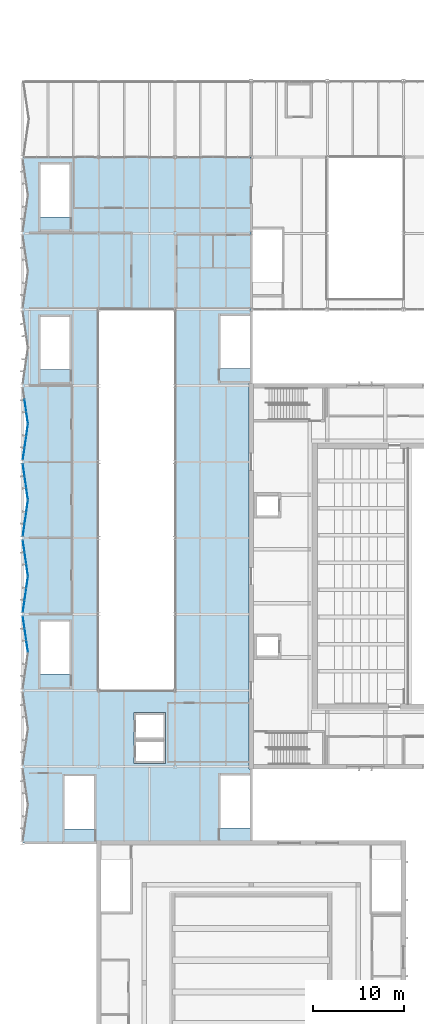
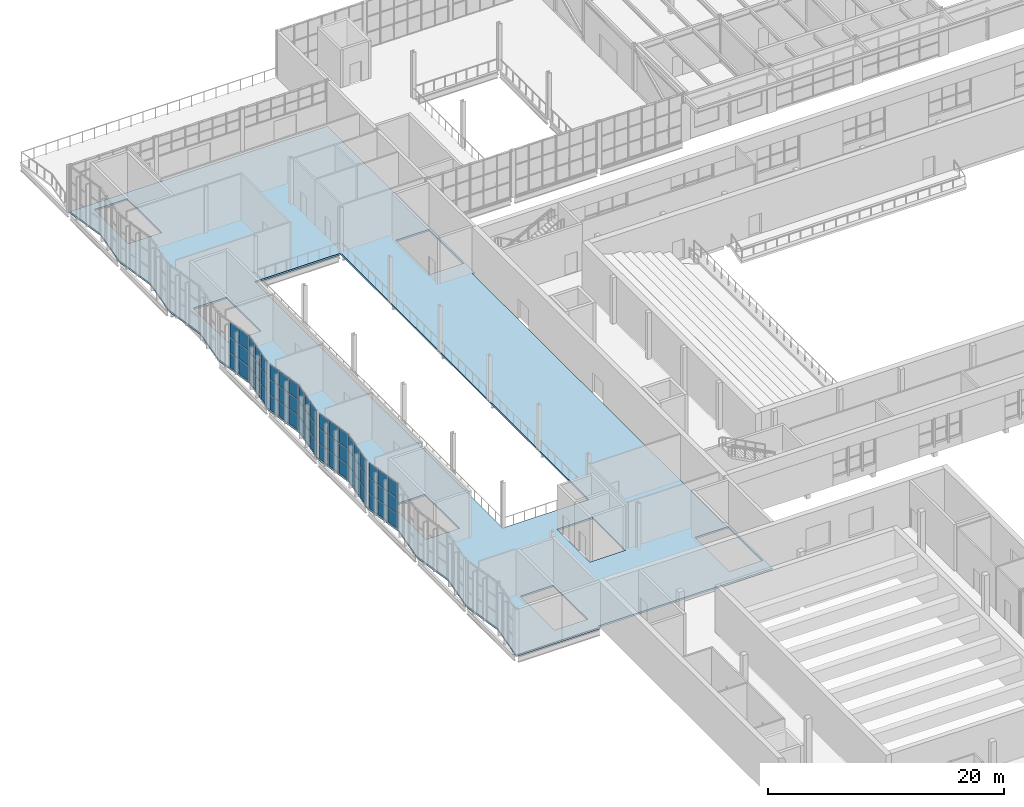
# One storey, part 59 of 116: 60 plates, 1 slab, 7 elements without a shape of their own.
"""IFC4 building model written with IfcOpenShell, lengths in metres."""

from ifc_helpers import new_model, si_unit, direction, frame, origin, origin_2d, place, context, subcontext, project, spatial, polyline, rectangle, outline, extrude, material, layer, layer_set, type_object, element, aggregate, save


model = new_model("IFC4")

# Units and contexts
model_context = context("Model", 3, precision=1e-05, world=origin(), true_north=direction((0.0, 1.0)))
body_context = subcontext(model_context, "Body", "Model", "MODEL_VIEW")
ifc_project = project(units=[si_unit("LENGTHUNIT", "METRE"), si_unit("AREAUNIT", "SQUARE_METRE"), si_unit("VOLUMEUNIT", "CUBIC_METRE"), si_unit("PLANEANGLEUNIT", "RADIAN"), si_unit("MASSUNIT", "GRAM", prefix="KILO")], contexts=[model_context])

# Site, building, storey
site_placement = place(None, origin())
site = spatial("IfcSite", under=ifc_project, at=site_placement, CompositionType="ELEMENT")
building_placement = place(site_placement, origin())
building = spatial("IfcBuilding", under=site, at=building_placement, Name="Ljudholm Concert House", CompositionType="ELEMENT")
storey_placement = place(building_placement, frame((0.0, 0.0, 10.199951171875)))
storey = spatial("IfcBuildingStorey", under=building, at=storey_placement, Name="L02", CompositionType="ELEMENT", Elevation=10.199951171875)

# Slab
ifc_material_1 = material(Name="Concrete 5,000 psi", Category="concrete")
ifc_layer_1 = layer(ifc_material_1, 0.179931640625)
ifc_layer_set_1 = layer_set([ifc_layer_1], Name="Concrete 5,000 psi")
slab_type = type_object("IfcSlabType", Name="COMPOSITE FLOOR SLAB 180", PredefinedType="FLOOR", material=ifc_layer_set_1)
slab_placement = place(storey_placement, frame((0.0, 0.0, -0.179931640625)))
element("IfcSlab", 1, at=slab_placement, inside=storey, type_object=slab_type, Name="Floor slab", PredefinedType="FLOOR", context=body_context, shape_type="SweptSolid", body=[
    extrude(outline(polyline([(4.0, 54.39990234375), (4.60009765625, 50.199951171875), (4.0, 46.0), (12.175048828125, 46.0), (12.175048828125, 46.22509765625), (29.199951171875, 46.22509765625), (29.199951171875, 54.14990234375), (28.949951171875, 54.14990234375), (28.949951171875, 96.64990234375), (29.199951171875, 96.64990234375), (29.199951171875, 121.60009765625), (4.0, 121.60009765625), (4.60009765625, 117.39990234375), (4.0, 113.199951171875), (4.60009765625, 109.0), (4.0, 104.800048828125), (4.60009765625, 100.60009765625), (4.0, 96.39990234375), (4.60009765625, 92.199951171875), (4.0, 88.0), (4.60009765625, 83.800048828125), (4.0, 79.60009765625), (4.60009765625, 75.39990234375), (4.0, 71.199951171875), (4.60009765625, 67.0), (4.0, 62.800048828125), (4.60009765625, 58.60009765625), (4.0, 54.39990234375)]), holes=[polyline([(11.89990234375, 53.35009765625), (11.89990234375, 47.550537109375), (8.64990234375, 47.550537109375), (8.64990234375, 53.35009765625), (11.89990234375, 53.35009765625)]), polyline([(29.050048828125, 53.449951171875), (29.050048828125, 47.650390625), (25.800048828125, 47.650390625), (25.800048828125, 53.449951171875), (29.050048828125, 53.449951171875)]), polyline([(19.77490234375, 54.75), (16.27490234375, 54.75), (16.27490234375, 60.35009765625), (19.77490234375, 60.35009765625), (19.77490234375, 54.75)]), polyline([(9.199951171875, 70.39990234375), (9.199951171875, 64.6005859375), (5.949951171875, 64.6005859375), (5.949951171875, 70.39990234375), (9.199951171875, 70.39990234375)]), polyline([(20.800048828125, 104.800048828125), (20.800048828125, 62.800048828125), (12.39990234375, 62.800048828125), (12.39990234375, 104.800048828125), (20.800048828125, 104.800048828125)]), polyline([(9.199951171875, 104.0), (9.199951171875, 98.200439453125), (5.949951171875, 98.200439453125), (5.949951171875, 104.0), (9.199951171875, 104.0)]), polyline([(29.050048828125, 104.10009765625), (29.050048828125, 98.300537109375), (25.800048828125, 98.300537109375), (25.800048828125, 104.10009765625), (29.050048828125, 104.10009765625)]), polyline([(9.199951171875, 120.800048828125), (9.199951171875, 115.00048828125), (5.949951171875, 115.00048828125), (5.949951171875, 120.800048828125), (9.199951171875, 120.800048828125)])]), origin(), (0.0, 0.0, 1.0), 0.179931640625),
])

# Curtain wall, plates
ifc_material_2 = material(Name="Aluminium curtain wall with impact-rated laminated glass", Category="aluminium")
curtain_wall_type = type_object("IfcCurtainWallType", Name="CURTAIN WALL 1400", PredefinedType="NOTDEFINED", material=ifc_material_2)
curtain_wall_1_placement = place(storey_placement, origin())
curtain_wall_1 = element("IfcCurtainWall", 2, at=curtain_wall_1_placement, inside=storey, type_object=curtain_wall_type, Name="Facade curtain wall", PredefinedType="NOTDEFINED")
ifc_material_3 = material(Name="Impact-rated laminated glass", Category="glass")
ifc_layer_2 = layer(ifc_material_3, 0.028076171875)
ifc_layer_set_2 = layer_set([ifc_layer_2], Name="Impact-rated laminated glass")
plate_type = type_object("IfcPlateType", Name="CURTAIN PANEL 28", PredefinedType="CURTAIN_PANEL", material=ifc_layer_set_2)
plate_1_placement = place(storey_placement, frame((4.503173828125, 67.678466796875, 0.06005859375), z_axis=(0.0, 0.0, 1.0), x_axis=(-0.141421356338, 0.989949493647, 0.0)))
plate_1 = element("IfcPlate", 3, at=plate_1_placement, type_object=plate_type, Name="Curtain wall panel", PredefinedType="CURTAIN_PANEL", context=body_context, shape_type="SweptSolid", body=[
    extrude(rectangle(XDim=1.2509765625, YDim=0.028076171875, at=origin_2d()), origin(), (0.0, 0.0, 1.0), 1.510009765625),
])
plate_2_placement = place(storey_placement, frame((4.503173828125, 67.678466796875, 1.630126953125), z_axis=(0.0, 0.0, 1.0), x_axis=(-0.141421356338, 0.989949493647, 0.0)))
plate_2 = element("IfcPlate", 4, at=plate_2_placement, type_object=plate_type, Name="Curtain wall panel", PredefinedType="CURTAIN_PANEL", context=body_context, shape_type="SweptSolid", body=[
    extrude(rectangle(XDim=1.2509765625, YDim=0.028076171875, at=origin_2d()), origin(), (0.0, 0.0, 1.0), 1.5400390625),
])
plate_3_placement = place(storey_placement, frame((4.503173828125, 67.678466796875, 3.22998046875), z_axis=(0.0, 0.0, 1.0), x_axis=(-0.141421356338, 0.989949493647, 0.0)))
plate_3 = element("IfcPlate", 5, at=plate_3_placement, type_object=plate_type, Name="Curtain wall panel", PredefinedType="CURTAIN_PANEL", context=body_context, shape_type="SweptSolid", body=[
    extrude(rectangle(XDim=1.2509765625, YDim=0.028076171875, at=origin_2d()), origin(), (0.0, 0.0, 1.0), 1.510009765625),
])
plate_4_placement = place(storey_placement, frame((4.315673828125, 68.9912109375, 0.06005859375), z_axis=(0.0, 0.0, 1.0), x_axis=(-0.141421356338, 0.989949493647, 0.0)))
plate_4 = element("IfcPlate", 6, at=plate_4_placement, type_object=plate_type, Name="Curtain wall panel", PredefinedType="CURTAIN_PANEL", context=body_context, shape_type="SweptSolid", body=[
    extrude(rectangle(XDim=1.28076171875, YDim=0.028076171875, at=origin_2d()), origin(), (0.0, 0.0, 1.0), 1.510009765625),
])
plate_5_placement = place(storey_placement, frame((4.315673828125, 68.9912109375, 1.630126953125), z_axis=(0.0, 0.0, 1.0), x_axis=(-0.141421356338, 0.989949493647, 0.0)))
plate_5 = element("IfcPlate", 7, at=plate_5_placement, type_object=plate_type, Name="Curtain wall panel", PredefinedType="CURTAIN_PANEL", context=body_context, shape_type="SweptSolid", body=[
    extrude(rectangle(XDim=1.28076171875, YDim=0.028076171875, at=origin_2d()), origin(), (0.0, 0.0, 1.0), 1.5400390625),
])
plate_6_placement = place(storey_placement, frame((4.315673828125, 68.9912109375, 3.22998046875), z_axis=(0.0, 0.0, 1.0), x_axis=(-0.141421356338, 0.989949493647, 0.0)))
plate_6 = element("IfcPlate", 8, at=plate_6_placement, type_object=plate_type, Name="Curtain wall panel", PredefinedType="CURTAIN_PANEL", context=body_context, shape_type="SweptSolid", body=[
    extrude(rectangle(XDim=1.28076171875, YDim=0.028076171875, at=origin_2d()), origin(), (0.0, 0.0, 1.0), 1.510009765625),
])
plate_7_placement = place(storey_placement, frame((4.1279296875, 70.3037109375, 0.06005859375), z_axis=(0.0, 0.0, 1.0), x_axis=(-0.141421356338, 0.989949493647, 0.0)))
plate_7 = element("IfcPlate", 9, at=plate_7_placement, type_object=plate_type, Name="Curtain wall panel", PredefinedType="CURTAIN_PANEL", context=body_context, shape_type="SweptSolid", body=[
    extrude(rectangle(XDim=1.2509765625, YDim=0.028076171875, at=origin_2d()), origin(), (0.0, 0.0, 1.0), 1.510009765625),
])
plate_8_placement = place(storey_placement, frame((4.1279296875, 70.3037109375, 1.630126953125), z_axis=(0.0, 0.0, 1.0), x_axis=(-0.141421356338, 0.989949493647, 0.0)))
plate_8 = element("IfcPlate", 10, at=plate_8_placement, type_object=plate_type, Name="Curtain wall panel", PredefinedType="CURTAIN_PANEL", context=body_context, shape_type="SweptSolid", body=[
    extrude(rectangle(XDim=1.2509765625, YDim=0.028076171875, at=origin_2d()), origin(), (0.0, 0.0, 1.0), 1.5400390625),
])
plate_9_placement = place(storey_placement, frame((4.1279296875, 70.3037109375, 3.22998046875), z_axis=(0.0, 0.0, 1.0), x_axis=(-0.141421356338, 0.989949493647, 0.0)))
plate_9 = element("IfcPlate", 11, at=plate_9_placement, type_object=plate_type, Name="Curtain wall panel", PredefinedType="CURTAIN_PANEL", context=body_context, shape_type="SweptSolid", body=[
    extrude(rectangle(XDim=1.2509765625, YDim=0.028076171875, at=origin_2d()), origin(), (0.0, 0.0, 1.0), 1.510009765625),
])
aggregate(curtain_wall_1, [plate_1, plate_2, plate_3, plate_4, plate_5, plate_6, plate_7, plate_8, plate_9])

curtain_wall_2_placement = place(storey_placement, origin())
curtain_wall_2 = element("IfcCurtainWall", 12, at=curtain_wall_2_placement, inside=storey, type_object=curtain_wall_type, Name="Facade curtain wall", PredefinedType="NOTDEFINED")
plate_10_placement = place(storey_placement, frame((4.1279296875, 72.096435546875, 0.06005859375), z_axis=(0.0, 0.0, 1.0), x_axis=(0.141421356338, 0.989949493647, 0.0)))
plate_10 = element("IfcPlate", 13, at=plate_10_placement, type_object=plate_type, Name="Curtain wall panel", PredefinedType="CURTAIN_PANEL", context=body_context, shape_type="SweptSolid", body=[
    extrude(rectangle(XDim=1.2509765625, YDim=0.028076171875, at=origin_2d()), origin(), (0.0, 0.0, 1.0), 1.510009765625),
])
plate_11_placement = place(storey_placement, frame((4.1279296875, 72.096435546875, 1.630126953125), z_axis=(0.0, 0.0, 1.0), x_axis=(0.141421356338, 0.989949493647, 0.0)))
plate_11 = element("IfcPlate", 14, at=plate_11_placement, type_object=plate_type, Name="Curtain wall panel", PredefinedType="CURTAIN_PANEL", context=body_context, shape_type="SweptSolid", body=[
    extrude(rectangle(XDim=1.2509765625, YDim=0.028076171875, at=origin_2d()), origin(), (0.0, 0.0, 1.0), 1.5400390625),
])
plate_12_placement = place(storey_placement, frame((4.1279296875, 72.096435546875, 3.22998046875), z_axis=(0.0, 0.0, 1.0), x_axis=(0.141421356338, 0.989949493647, 0.0)))
plate_12 = element("IfcPlate", 15, at=plate_12_placement, type_object=plate_type, Name="Curtain wall panel", PredefinedType="CURTAIN_PANEL", context=body_context, shape_type="SweptSolid", body=[
    extrude(rectangle(XDim=1.2509765625, YDim=0.028076171875, at=origin_2d()), origin(), (0.0, 0.0, 1.0), 1.510009765625),
])
plate_13_placement = place(storey_placement, frame((4.315673828125, 73.408935546875, 0.06005859375), z_axis=(0.0, 0.0, 1.0), x_axis=(0.141421356338, 0.989949493647, 0.0)))
plate_13 = element("IfcPlate", 16, at=plate_13_placement, type_object=plate_type, Name="Curtain wall panel", PredefinedType="CURTAIN_PANEL", context=body_context, shape_type="SweptSolid", body=[
    extrude(rectangle(XDim=1.28076171875, YDim=0.028076171875, at=origin_2d()), origin(), (0.0, 0.0, 1.0), 1.510009765625),
])
plate_14_placement = place(storey_placement, frame((4.315673828125, 73.408935546875, 1.630126953125), z_axis=(0.0, 0.0, 1.0), x_axis=(0.141421356338, 0.989949493647, 0.0)))
plate_14 = element("IfcPlate", 17, at=plate_14_placement, type_object=plate_type, Name="Curtain wall panel", PredefinedType="CURTAIN_PANEL", context=body_context, shape_type="SweptSolid", body=[
    extrude(rectangle(XDim=1.28076171875, YDim=0.028076171875, at=origin_2d()), origin(), (0.0, 0.0, 1.0), 1.5400390625),
])
plate_15_placement = place(storey_placement, frame((4.315673828125, 73.408935546875, 3.22998046875), z_axis=(0.0, 0.0, 1.0), x_axis=(0.141421356338, 0.989949493647, 0.0)))
plate_15 = element("IfcPlate", 18, at=plate_15_placement, type_object=plate_type, Name="Curtain wall panel", PredefinedType="CURTAIN_PANEL", context=body_context, shape_type="SweptSolid", body=[
    extrude(rectangle(XDim=1.28076171875, YDim=0.028076171875, at=origin_2d()), origin(), (0.0, 0.0, 1.0), 1.510009765625),
])
plate_16_placement = place(storey_placement, frame((4.503173828125, 74.721435546875, 0.06005859375), z_axis=(0.0, 0.0, 1.0), x_axis=(0.141421356338, 0.989949493647, 0.0)))
plate_16 = element("IfcPlate", 19, at=plate_16_placement, type_object=plate_type, Name="Curtain wall panel", PredefinedType="CURTAIN_PANEL", context=body_context, shape_type="SweptSolid", body=[
    extrude(rectangle(XDim=1.2509765625, YDim=0.028076171875, at=origin_2d()), origin(), (0.0, 0.0, 1.0), 1.510009765625),
])
plate_17_placement = place(storey_placement, frame((4.503173828125, 74.721435546875, 1.630126953125), z_axis=(0.0, 0.0, 1.0), x_axis=(0.141421356338, 0.989949493647, 0.0)))
plate_17 = element("IfcPlate", 20, at=plate_17_placement, type_object=plate_type, Name="Curtain wall panel", PredefinedType="CURTAIN_PANEL", context=body_context, shape_type="SweptSolid", body=[
    extrude(rectangle(XDim=1.2509765625, YDim=0.028076171875, at=origin_2d()), origin(), (0.0, 0.0, 1.0), 1.5400390625),
])
plate_18_placement = place(storey_placement, frame((4.503173828125, 74.721435546875, 3.22998046875), z_axis=(0.0, 0.0, 1.0), x_axis=(0.141421356338, 0.989949493647, 0.0)))
plate_18 = element("IfcPlate", 21, at=plate_18_placement, type_object=plate_type, Name="Curtain wall panel", PredefinedType="CURTAIN_PANEL", context=body_context, shape_type="SweptSolid", body=[
    extrude(rectangle(XDim=1.2509765625, YDim=0.028076171875, at=origin_2d()), origin(), (0.0, 0.0, 1.0), 1.510009765625),
])
aggregate(curtain_wall_2, [plate_10, plate_11, plate_12, plate_13, plate_14, plate_15, plate_16, plate_17, plate_18])

curtain_wall_3_placement = place(storey_placement, origin())
curtain_wall_3 = element("IfcCurtainWall", 22, at=curtain_wall_3_placement, inside=storey, type_object=curtain_wall_type, Name="Facade curtain wall", PredefinedType="NOTDEFINED")
plate_19_placement = place(storey_placement, frame((4.503173828125, 76.07861328125, 0.06005859375), z_axis=(0.0, 0.0, 1.0), x_axis=(-0.141421356338, 0.989949493647, 0.0)))
plate_19 = element("IfcPlate", 23, at=plate_19_placement, type_object=plate_type, Name="Curtain wall panel", PredefinedType="CURTAIN_PANEL", context=body_context, shape_type="SweptSolid", body=[
    extrude(rectangle(XDim=1.2509765625, YDim=0.028076171875, at=origin_2d()), origin(), (0.0, 0.0, 1.0), 1.510009765625),
])
plate_20_placement = place(storey_placement, frame((4.503173828125, 76.07861328125, 1.630126953125), z_axis=(0.0, 0.0, 1.0), x_axis=(-0.141421356338, 0.989949493647, 0.0)))
plate_20 = element("IfcPlate", 24, at=plate_20_placement, type_object=plate_type, Name="Curtain wall panel", PredefinedType="CURTAIN_PANEL", context=body_context, shape_type="SweptSolid", body=[
    extrude(rectangle(XDim=1.2509765625, YDim=0.028076171875, at=origin_2d()), origin(), (0.0, 0.0, 1.0), 1.5400390625),
])
plate_21_placement = place(storey_placement, frame((4.503173828125, 76.07861328125, 3.22998046875), z_axis=(0.0, 0.0, 1.0), x_axis=(-0.141421356338, 0.989949493647, 0.0)))
plate_21 = element("IfcPlate", 25, at=plate_21_placement, type_object=plate_type, Name="Curtain wall panel", PredefinedType="CURTAIN_PANEL", context=body_context, shape_type="SweptSolid", body=[
    extrude(rectangle(XDim=1.2509765625, YDim=0.028076171875, at=origin_2d()), origin(), (0.0, 0.0, 1.0), 1.510009765625),
])
plate_22_placement = place(storey_placement, frame((4.315673828125, 77.39111328125, 0.06005859375), z_axis=(0.0, 0.0, 1.0), x_axis=(-0.141421356338, 0.989949493647, 0.0)))
plate_22 = element("IfcPlate", 26, at=plate_22_placement, type_object=plate_type, Name="Curtain wall panel", PredefinedType="CURTAIN_PANEL", context=body_context, shape_type="SweptSolid", body=[
    extrude(rectangle(XDim=1.28076171875, YDim=0.028076171875, at=origin_2d()), origin(), (0.0, 0.0, 1.0), 1.510009765625),
])
plate_23_placement = place(storey_placement, frame((4.315673828125, 77.39111328125, 1.630126953125), z_axis=(0.0, 0.0, 1.0), x_axis=(-0.141421356338, 0.989949493647, 0.0)))
plate_23 = element("IfcPlate", 27, at=plate_23_placement, type_object=plate_type, Name="Curtain wall panel", PredefinedType="CURTAIN_PANEL", context=body_context, shape_type="SweptSolid", body=[
    extrude(rectangle(XDim=1.28076171875, YDim=0.028076171875, at=origin_2d()), origin(), (0.0, 0.0, 1.0), 1.5400390625),
])
plate_24_placement = place(storey_placement, frame((4.315673828125, 77.39111328125, 3.22998046875), z_axis=(0.0, 0.0, 1.0), x_axis=(-0.141421356338, 0.989949493647, 0.0)))
plate_24 = element("IfcPlate", 28, at=plate_24_placement, type_object=plate_type, Name="Curtain wall panel", PredefinedType="CURTAIN_PANEL", context=body_context, shape_type="SweptSolid", body=[
    extrude(rectangle(XDim=1.28076171875, YDim=0.028076171875, at=origin_2d()), origin(), (0.0, 0.0, 1.0), 1.510009765625),
])
plate_25_placement = place(storey_placement, frame((4.1279296875, 78.70361328125, 0.06005859375), z_axis=(0.0, 0.0, 1.0), x_axis=(-0.141421356338, 0.989949493647, 0.0)))
plate_25 = element("IfcPlate", 29, at=plate_25_placement, type_object=plate_type, Name="Curtain wall panel", PredefinedType="CURTAIN_PANEL", context=body_context, shape_type="SweptSolid", body=[
    extrude(rectangle(XDim=1.2509765625, YDim=0.028076171875, at=origin_2d()), origin(), (0.0, 0.0, 1.0), 1.510009765625),
])
plate_26_placement = place(storey_placement, frame((4.1279296875, 78.70361328125, 1.630126953125), z_axis=(0.0, 0.0, 1.0), x_axis=(-0.141421356338, 0.989949493647, 0.0)))
plate_26 = element("IfcPlate", 30, at=plate_26_placement, type_object=plate_type, Name="Curtain wall panel", PredefinedType="CURTAIN_PANEL", context=body_context, shape_type="SweptSolid", body=[
    extrude(rectangle(XDim=1.2509765625, YDim=0.028076171875, at=origin_2d()), origin(), (0.0, 0.0, 1.0), 1.5400390625),
])
plate_27_placement = place(storey_placement, frame((4.1279296875, 78.70361328125, 3.22998046875), z_axis=(0.0, 0.0, 1.0), x_axis=(-0.141421356338, 0.989949493647, 0.0)))
plate_27 = element("IfcPlate", 31, at=plate_27_placement, type_object=plate_type, Name="Curtain wall panel", PredefinedType="CURTAIN_PANEL", context=body_context, shape_type="SweptSolid", body=[
    extrude(rectangle(XDim=1.2509765625, YDim=0.028076171875, at=origin_2d()), origin(), (0.0, 0.0, 1.0), 1.510009765625),
])
aggregate(curtain_wall_3, [plate_19, plate_20, plate_21, plate_22, plate_23, plate_24, plate_25, plate_26, plate_27])

curtain_wall_4_placement = place(storey_placement, origin())
curtain_wall_4 = element("IfcCurtainWall", 32, at=curtain_wall_4_placement, inside=storey, type_object=curtain_wall_type, Name="Facade curtain wall", PredefinedType="NOTDEFINED")
plate_28_placement = place(storey_placement, frame((4.1279296875, 80.496337890625, 0.06005859375), z_axis=(0.0, 0.0, 1.0), x_axis=(0.141421356338, 0.989949493647, 0.0)))
plate_28 = element("IfcPlate", 33, at=plate_28_placement, type_object=plate_type, Name="Curtain wall panel", PredefinedType="CURTAIN_PANEL", context=body_context, shape_type="SweptSolid", body=[
    extrude(rectangle(XDim=1.2509765625, YDim=0.028076171875, at=origin_2d()), origin(), (0.0, 0.0, 1.0), 1.510009765625),
])
plate_29_placement = place(storey_placement, frame((4.1279296875, 80.496337890625, 1.630126953125), z_axis=(0.0, 0.0, 1.0), x_axis=(0.141421356338, 0.989949493647, 0.0)))
plate_29 = element("IfcPlate", 34, at=plate_29_placement, type_object=plate_type, Name="Curtain wall panel", PredefinedType="CURTAIN_PANEL", context=body_context, shape_type="SweptSolid", body=[
    extrude(rectangle(XDim=1.2509765625, YDim=0.028076171875, at=origin_2d()), origin(), (0.0, 0.0, 1.0), 1.5400390625),
])
plate_30_placement = place(storey_placement, frame((4.1279296875, 80.496337890625, 3.22998046875), z_axis=(0.0, 0.0, 1.0), x_axis=(0.141421356338, 0.989949493647, 0.0)))
plate_30 = element("IfcPlate", 35, at=plate_30_placement, type_object=plate_type, Name="Curtain wall panel", PredefinedType="CURTAIN_PANEL", context=body_context, shape_type="SweptSolid", body=[
    extrude(rectangle(XDim=1.2509765625, YDim=0.028076171875, at=origin_2d()), origin(), (0.0, 0.0, 1.0), 1.510009765625),
])
plate_31_placement = place(storey_placement, frame((4.315673828125, 81.808837890625, 0.06005859375), z_axis=(0.0, 0.0, 1.0), x_axis=(0.141421356338, 0.989949493647, 0.0)))
plate_31 = element("IfcPlate", 36, at=plate_31_placement, type_object=plate_type, Name="Curtain wall panel", PredefinedType="CURTAIN_PANEL", context=body_context, shape_type="SweptSolid", body=[
    extrude(rectangle(XDim=1.28076171875, YDim=0.028076171875, at=origin_2d()), origin(), (0.0, 0.0, 1.0), 1.510009765625),
])
plate_32_placement = place(storey_placement, frame((4.315673828125, 81.808837890625, 1.630126953125), z_axis=(0.0, 0.0, 1.0), x_axis=(0.141421356338, 0.989949493647, 0.0)))
plate_32 = element("IfcPlate", 37, at=plate_32_placement, type_object=plate_type, Name="Curtain wall panel", PredefinedType="CURTAIN_PANEL", context=body_context, shape_type="SweptSolid", body=[
    extrude(rectangle(XDim=1.28076171875, YDim=0.028076171875, at=origin_2d()), origin(), (0.0, 0.0, 1.0), 1.5400390625),
])
plate_33_placement = place(storey_placement, frame((4.315673828125, 81.808837890625, 3.22998046875), z_axis=(0.0, 0.0, 1.0), x_axis=(0.141421356338, 0.989949493647, 0.0)))
plate_33 = element("IfcPlate", 38, at=plate_33_placement, type_object=plate_type, Name="Curtain wall panel", PredefinedType="CURTAIN_PANEL", context=body_context, shape_type="SweptSolid", body=[
    extrude(rectangle(XDim=1.28076171875, YDim=0.028076171875, at=origin_2d()), origin(), (0.0, 0.0, 1.0), 1.510009765625),
])
plate_34_placement = place(storey_placement, frame((4.503173828125, 83.121337890625, 0.06005859375), z_axis=(0.0, 0.0, 1.0), x_axis=(0.141421356338, 0.989949493647, 0.0)))
plate_34 = element("IfcPlate", 39, at=plate_34_placement, type_object=plate_type, Name="Curtain wall panel", PredefinedType="CURTAIN_PANEL", context=body_context, shape_type="SweptSolid", body=[
    extrude(rectangle(XDim=1.2509765625, YDim=0.028076171875, at=origin_2d()), origin(), (0.0, 0.0, 1.0), 1.510009765625),
])
plate_35_placement = place(storey_placement, frame((4.503173828125, 83.121337890625, 1.630126953125), z_axis=(0.0, 0.0, 1.0), x_axis=(0.141421356338, 0.989949493647, 0.0)))
plate_35 = element("IfcPlate", 40, at=plate_35_placement, type_object=plate_type, Name="Curtain wall panel", PredefinedType="CURTAIN_PANEL", context=body_context, shape_type="SweptSolid", body=[
    extrude(rectangle(XDim=1.2509765625, YDim=0.028076171875, at=origin_2d()), origin(), (0.0, 0.0, 1.0), 1.5400390625),
])
plate_36_placement = place(storey_placement, frame((4.503173828125, 83.121337890625, 3.22998046875), z_axis=(0.0, 0.0, 1.0), x_axis=(0.141421356338, 0.989949493647, 0.0)))
plate_36 = element("IfcPlate", 41, at=plate_36_placement, type_object=plate_type, Name="Curtain wall panel", PredefinedType="CURTAIN_PANEL", context=body_context, shape_type="SweptSolid", body=[
    extrude(rectangle(XDim=1.2509765625, YDim=0.028076171875, at=origin_2d()), origin(), (0.0, 0.0, 1.0), 1.510009765625),
])
aggregate(curtain_wall_4, [plate_28, plate_29, plate_30, plate_31, plate_32, plate_33, plate_34, plate_35, plate_36])

curtain_wall_5_placement = place(storey_placement, origin())
curtain_wall_5 = element("IfcCurtainWall", 42, at=curtain_wall_5_placement, inside=storey, type_object=curtain_wall_type, Name="Facade curtain wall", PredefinedType="NOTDEFINED")
plate_37_placement = place(storey_placement, frame((4.503173828125, 84.478515625, 0.06005859375), z_axis=(0.0, 0.0, 1.0), x_axis=(-0.141421356338, 0.989949493647, 0.0)))
plate_37 = element("IfcPlate", 43, at=plate_37_placement, type_object=plate_type, Name="Curtain wall panel", PredefinedType="CURTAIN_PANEL", context=body_context, shape_type="SweptSolid", body=[
    extrude(rectangle(XDim=1.2509765625, YDim=0.028076171875, at=origin_2d()), origin(), (0.0, 0.0, 1.0), 1.510009765625),
])
plate_38_placement = place(storey_placement, frame((4.503173828125, 84.478515625, 1.630126953125), z_axis=(0.0, 0.0, 1.0), x_axis=(-0.141421356338, 0.989949493647, 0.0)))
plate_38 = element("IfcPlate", 44, at=plate_38_placement, type_object=plate_type, Name="Curtain wall panel", PredefinedType="CURTAIN_PANEL", context=body_context, shape_type="SweptSolid", body=[
    extrude(rectangle(XDim=1.2509765625, YDim=0.028076171875, at=origin_2d()), origin(), (0.0, 0.0, 1.0), 1.5400390625),
])
plate_39_placement = place(storey_placement, frame((4.503173828125, 84.478515625, 3.22998046875), z_axis=(0.0, 0.0, 1.0), x_axis=(-0.141421356338, 0.989949493647, 0.0)))
plate_39 = element("IfcPlate", 45, at=plate_39_placement, type_object=plate_type, Name="Curtain wall panel", PredefinedType="CURTAIN_PANEL", context=body_context, shape_type="SweptSolid", body=[
    extrude(rectangle(XDim=1.2509765625, YDim=0.028076171875, at=origin_2d()), origin(), (0.0, 0.0, 1.0), 1.510009765625),
])
plate_40_placement = place(storey_placement, frame((4.315673828125, 85.791015625, 0.06005859375), z_axis=(0.0, 0.0, 1.0), x_axis=(-0.141421356338, 0.989949493647, 0.0)))
plate_40 = element("IfcPlate", 46, at=plate_40_placement, type_object=plate_type, Name="Curtain wall panel", PredefinedType="CURTAIN_PANEL", context=body_context, shape_type="SweptSolid", body=[
    extrude(rectangle(XDim=1.28076171875, YDim=0.028076171875, at=origin_2d()), origin(), (0.0, 0.0, 1.0), 1.510009765625),
])
plate_41_placement = place(storey_placement, frame((4.315673828125, 85.791015625, 1.630126953125), z_axis=(0.0, 0.0, 1.0), x_axis=(-0.141421356338, 0.989949493647, 0.0)))
plate_41 = element("IfcPlate", 47, at=plate_41_placement, type_object=plate_type, Name="Curtain wall panel", PredefinedType="CURTAIN_PANEL", context=body_context, shape_type="SweptSolid", body=[
    extrude(rectangle(XDim=1.28076171875, YDim=0.028076171875, at=origin_2d()), origin(), (0.0, 0.0, 1.0), 1.5400390625),
])
plate_42_placement = place(storey_placement, frame((4.315673828125, 85.791015625, 3.22998046875), z_axis=(0.0, 0.0, 1.0), x_axis=(-0.141421356338, 0.989949493647, 0.0)))
plate_42 = element("IfcPlate", 48, at=plate_42_placement, type_object=plate_type, Name="Curtain wall panel", PredefinedType="CURTAIN_PANEL", context=body_context, shape_type="SweptSolid", body=[
    extrude(rectangle(XDim=1.28076171875, YDim=0.028076171875, at=origin_2d()), origin(), (0.0, 0.0, 1.0), 1.510009765625),
])
plate_43_placement = place(storey_placement, frame((4.1279296875, 87.103759765625, 0.06005859375), z_axis=(0.0, 0.0, 1.0), x_axis=(-0.141421356338, 0.989949493647, 0.0)))
plate_43 = element("IfcPlate", 49, at=plate_43_placement, type_object=plate_type, Name="Curtain wall panel", PredefinedType="CURTAIN_PANEL", context=body_context, shape_type="SweptSolid", body=[
    extrude(rectangle(XDim=1.2509765625, YDim=0.028076171875, at=origin_2d()), origin(), (0.0, 0.0, 1.0), 1.510009765625),
])
plate_44_placement = place(storey_placement, frame((4.1279296875, 87.103759765625, 1.630126953125), z_axis=(0.0, 0.0, 1.0), x_axis=(-0.141421356338, 0.989949493647, 0.0)))
plate_44 = element("IfcPlate", 50, at=plate_44_placement, type_object=plate_type, Name="Curtain wall panel", PredefinedType="CURTAIN_PANEL", context=body_context, shape_type="SweptSolid", body=[
    extrude(rectangle(XDim=1.2509765625, YDim=0.028076171875, at=origin_2d()), origin(), (0.0, 0.0, 1.0), 1.5400390625),
])
plate_45_placement = place(storey_placement, frame((4.1279296875, 87.103759765625, 3.22998046875), z_axis=(0.0, 0.0, 1.0), x_axis=(-0.141421356338, 0.989949493647, 0.0)))
plate_45 = element("IfcPlate", 51, at=plate_45_placement, type_object=plate_type, Name="Curtain wall panel", PredefinedType="CURTAIN_PANEL", context=body_context, shape_type="SweptSolid", body=[
    extrude(rectangle(XDim=1.2509765625, YDim=0.028076171875, at=origin_2d()), origin(), (0.0, 0.0, 1.0), 1.510009765625),
])
aggregate(curtain_wall_5, [plate_37, plate_38, plate_39, plate_40, plate_41, plate_42, plate_43, plate_44, plate_45])

curtain_wall_6_placement = place(storey_placement, origin())
curtain_wall_6 = element("IfcCurtainWall", 52, at=curtain_wall_6_placement, inside=storey, type_object=curtain_wall_type, Name="Facade curtain wall", PredefinedType="NOTDEFINED")
plate_46_placement = place(storey_placement, frame((4.1279296875, 88.896240234375, 0.06005859375), z_axis=(0.0, 0.0, 1.0), x_axis=(0.141421356338, 0.989949493647, 0.0)))
plate_46 = element("IfcPlate", 53, at=plate_46_placement, type_object=plate_type, Name="Curtain wall panel", PredefinedType="CURTAIN_PANEL", context=body_context, shape_type="SweptSolid", body=[
    extrude(rectangle(XDim=1.2509765625, YDim=0.028076171875, at=origin_2d()), origin(), (0.0, 0.0, 1.0), 1.510009765625),
])
plate_47_placement = place(storey_placement, frame((4.1279296875, 88.896240234375, 1.630126953125), z_axis=(0.0, 0.0, 1.0), x_axis=(0.141421356338, 0.989949493647, 0.0)))
plate_47 = element("IfcPlate", 54, at=plate_47_placement, type_object=plate_type, Name="Curtain wall panel", PredefinedType="CURTAIN_PANEL", context=body_context, shape_type="SweptSolid", body=[
    extrude(rectangle(XDim=1.2509765625, YDim=0.028076171875, at=origin_2d()), origin(), (0.0, 0.0, 1.0), 1.5400390625),
])
plate_48_placement = place(storey_placement, frame((4.1279296875, 88.896240234375, 3.22998046875), z_axis=(0.0, 0.0, 1.0), x_axis=(0.141421356338, 0.989949493647, 0.0)))
plate_48 = element("IfcPlate", 55, at=plate_48_placement, type_object=plate_type, Name="Curtain wall panel", PredefinedType="CURTAIN_PANEL", context=body_context, shape_type="SweptSolid", body=[
    extrude(rectangle(XDim=1.2509765625, YDim=0.028076171875, at=origin_2d()), origin(), (0.0, 0.0, 1.0), 1.510009765625),
])
plate_49_placement = place(storey_placement, frame((4.315673828125, 90.208984375, 0.06005859375), z_axis=(0.0, 0.0, 1.0), x_axis=(0.141421356338, 0.989949493647, 0.0)))
plate_49 = element("IfcPlate", 56, at=plate_49_placement, type_object=plate_type, Name="Curtain wall panel", PredefinedType="CURTAIN_PANEL", context=body_context, shape_type="SweptSolid", body=[
    extrude(rectangle(XDim=1.28076171875, YDim=0.028076171875, at=origin_2d()), origin(), (0.0, 0.0, 1.0), 1.510009765625),
])
plate_50_placement = place(storey_placement, frame((4.315673828125, 90.208984375, 1.630126953125), z_axis=(0.0, 0.0, 1.0), x_axis=(0.141421356338, 0.989949493647, 0.0)))
plate_50 = element("IfcPlate", 57, at=plate_50_placement, type_object=plate_type, Name="Curtain wall panel", PredefinedType="CURTAIN_PANEL", context=body_context, shape_type="SweptSolid", body=[
    extrude(rectangle(XDim=1.28076171875, YDim=0.028076171875, at=origin_2d()), origin(), (0.0, 0.0, 1.0), 1.5400390625),
])
plate_51_placement = place(storey_placement, frame((4.315673828125, 90.208984375, 3.22998046875), z_axis=(0.0, 0.0, 1.0), x_axis=(0.141421356338, 0.989949493647, 0.0)))
plate_51 = element("IfcPlate", 58, at=plate_51_placement, type_object=plate_type, Name="Curtain wall panel", PredefinedType="CURTAIN_PANEL", context=body_context, shape_type="SweptSolid", body=[
    extrude(rectangle(XDim=1.28076171875, YDim=0.028076171875, at=origin_2d()), origin(), (0.0, 0.0, 1.0), 1.510009765625),
])
plate_52_placement = place(storey_placement, frame((4.503173828125, 91.521484375, 0.06005859375), z_axis=(0.0, 0.0, 1.0), x_axis=(0.141421356338, 0.989949493647, 0.0)))
plate_52 = element("IfcPlate", 59, at=plate_52_placement, type_object=plate_type, Name="Curtain wall panel", PredefinedType="CURTAIN_PANEL", context=body_context, shape_type="SweptSolid", body=[
    extrude(rectangle(XDim=1.2509765625, YDim=0.028076171875, at=origin_2d()), origin(), (0.0, 0.0, 1.0), 1.510009765625),
])
plate_53_placement = place(storey_placement, frame((4.503173828125, 91.521484375, 1.630126953125), z_axis=(0.0, 0.0, 1.0), x_axis=(0.141421356338, 0.989949493647, 0.0)))
plate_53 = element("IfcPlate", 60, at=plate_53_placement, type_object=plate_type, Name="Curtain wall panel", PredefinedType="CURTAIN_PANEL", context=body_context, shape_type="SweptSolid", body=[
    extrude(rectangle(XDim=1.2509765625, YDim=0.028076171875, at=origin_2d()), origin(), (0.0, 0.0, 1.0), 1.5400390625),
])
plate_54_placement = place(storey_placement, frame((4.503173828125, 91.521484375, 3.22998046875), z_axis=(0.0, 0.0, 1.0), x_axis=(0.141421356338, 0.989949493647, 0.0)))
plate_54 = element("IfcPlate", 61, at=plate_54_placement, type_object=plate_type, Name="Curtain wall panel", PredefinedType="CURTAIN_PANEL", context=body_context, shape_type="SweptSolid", body=[
    extrude(rectangle(XDim=1.2509765625, YDim=0.028076171875, at=origin_2d()), origin(), (0.0, 0.0, 1.0), 1.510009765625),
])
aggregate(curtain_wall_6, [plate_46, plate_47, plate_48, plate_49, plate_50, plate_51, plate_52, plate_53, plate_54])

curtain_wall_7_placement = place(storey_placement, origin())
curtain_wall_7 = element("IfcCurtainWall", 62, at=curtain_wall_7_placement, inside=storey, type_object=curtain_wall_type, Name="Facade curtain wall", PredefinedType="NOTDEFINED")
plate_55_placement = place(storey_placement, frame((4.503173828125, 92.878662109375, 0.06005859375), z_axis=(0.0, 0.0, 1.0), x_axis=(-0.141421356338, 0.989949493647, 0.0)))
plate_55 = element("IfcPlate", 63, at=plate_55_placement, type_object=plate_type, Name="Curtain wall panel", PredefinedType="CURTAIN_PANEL", context=body_context, shape_type="SweptSolid", body=[
    extrude(rectangle(XDim=1.2509765625, YDim=0.028076171875, at=origin_2d()), origin(), (0.0, 0.0, 1.0), 1.510009765625),
])
plate_56_placement = place(storey_placement, frame((4.503173828125, 92.878662109375, 1.630126953125), z_axis=(0.0, 0.0, 1.0), x_axis=(-0.141421356338, 0.989949493647, 0.0)))
plate_56 = element("IfcPlate", 64, at=plate_56_placement, type_object=plate_type, Name="Curtain wall panel", PredefinedType="CURTAIN_PANEL", context=body_context, shape_type="SweptSolid", body=[
    extrude(rectangle(XDim=1.2509765625, YDim=0.028076171875, at=origin_2d()), origin(), (0.0, 0.0, 1.0), 1.5400390625),
])
plate_57_placement = place(storey_placement, frame((4.503173828125, 92.878662109375, 3.22998046875), z_axis=(0.0, 0.0, 1.0), x_axis=(-0.141421356338, 0.989949493647, 0.0)))
plate_57 = element("IfcPlate", 65, at=plate_57_placement, type_object=plate_type, Name="Curtain wall panel", PredefinedType="CURTAIN_PANEL", context=body_context, shape_type="SweptSolid", body=[
    extrude(rectangle(XDim=1.2509765625, YDim=0.028076171875, at=origin_2d()), origin(), (0.0, 0.0, 1.0), 1.510009765625),
])
plate_58_placement = place(storey_placement, frame((4.315673828125, 94.191162109375, 0.06005859375), z_axis=(0.0, 0.0, 1.0), x_axis=(-0.141421356338, 0.989949493647, 0.0)))
plate_58 = element("IfcPlate", 66, at=plate_58_placement, type_object=plate_type, Name="Curtain wall panel", PredefinedType="CURTAIN_PANEL", context=body_context, shape_type="SweptSolid", body=[
    extrude(rectangle(XDim=1.28076171875, YDim=0.028076171875, at=origin_2d()), origin(), (0.0, 0.0, 1.0), 1.510009765625),
])
plate_59_placement = place(storey_placement, frame((4.315673828125, 94.191162109375, 1.630126953125), z_axis=(0.0, 0.0, 1.0), x_axis=(-0.141421356338, 0.989949493647, 0.0)))
plate_59 = element("IfcPlate", 67, at=plate_59_placement, type_object=plate_type, Name="Curtain wall panel", PredefinedType="CURTAIN_PANEL", context=body_context, shape_type="SweptSolid", body=[
    extrude(rectangle(XDim=1.28076171875, YDim=0.028076171875, at=origin_2d()), origin(), (0.0, 0.0, 1.0), 1.5400390625),
])
plate_60_placement = place(storey_placement, frame((4.315673828125, 94.191162109375, 3.22998046875), z_axis=(0.0, 0.0, 1.0), x_axis=(-0.141421356338, 0.989949493647, 0.0)))
plate_60 = element("IfcPlate", 68, at=plate_60_placement, type_object=plate_type, Name="Curtain wall panel", PredefinedType="CURTAIN_PANEL", context=body_context, shape_type="SweptSolid", body=[
    extrude(rectangle(XDim=1.28076171875, YDim=0.028076171875, at=origin_2d()), origin(), (0.0, 0.0, 1.0), 1.510009765625),
])
aggregate(curtain_wall_7, [plate_55, plate_56, plate_57, plate_58, plate_59, plate_60])

save(model, "model.ifc")
